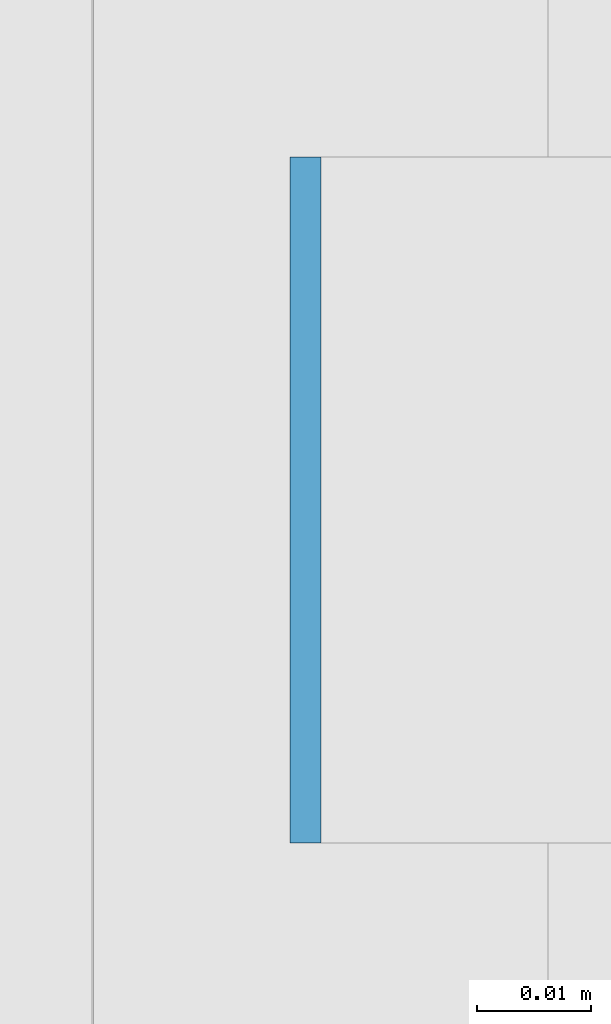
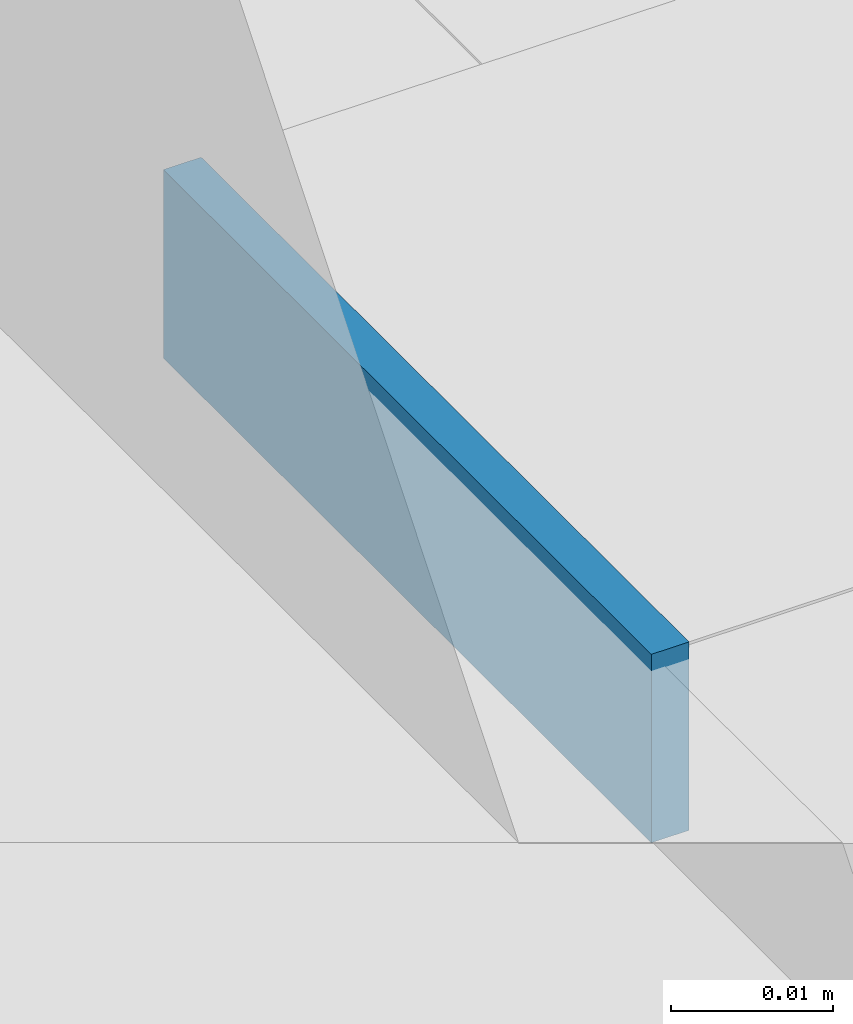
# One storey, part 513 of 646: 1 discrete accessory.
"""IFC4 building model written with IfcOpenShell, lengths in metres."""

from ifc_helpers import new_model, si_unit, direction, frame, origin, origin_2d, place, context, subcontext, project, spatial, rectangle, extrude, material, type_object, element, save


model = new_model("IFC4")

# Units and contexts
model_context = context("Model", 3, precision=1e-05, world=origin(), true_north=direction((0.0, 1.0)))
body_context = subcontext(model_context, "Body", "Model", "MODEL_VIEW")
ifc_project = project(units=[si_unit("LENGTHUNIT", "METRE"), si_unit("AREAUNIT", "SQUARE_METRE"), si_unit("VOLUMEUNIT", "CUBIC_METRE"), si_unit("PLANEANGLEUNIT", "RADIAN"), si_unit("MASSUNIT", "GRAM", prefix="KILO")], contexts=[model_context])

# Site, building, storey
site_placement = place(None, origin())
site = spatial("IfcSite", under=ifc_project, at=site_placement, CompositionType="ELEMENT")
building_placement = place(site_placement, origin())
building = spatial("IfcBuilding", under=site, at=building_placement, Name="Silverbay Arena", CompositionType="ELEMENT")
storey_placement = place(building_placement, frame((0.0, 0.0, 33.5)))
storey = spatial("IfcBuildingStorey", under=building, at=storey_placement, Name="L05", CompositionType="ELEMENT", Elevation=33.5)

# Discrete accessory
ifc_material = material(Name="Steel S355", Category="steel")
discrete_accessory_type = type_object("IfcDiscreteAccessoryType", Name="Steel bracket plate", PredefinedType="BRACKET", material=ifc_material)
discrete_accessory_placement = place(storey_placement, frame((207.128662109375, 74.571533203125, 12.98583984375), z_axis=(0.0, 0.0, 1.0), x_axis=(1.0, 0.0, 0.0)))
element("IfcDiscreteAccessory", 1, at=discrete_accessory_placement, inside=storey, type_object=discrete_accessory_type, Name="Curtain wall packing plate", PredefinedType="BRACKET", context=body_context, shape_type="SweptSolid", body=[
    extrude(rectangle(XDim=0.002685546875, YDim=0.06005859375, at=origin_2d()), origin(), (0.0, 0.0, 1.0), 0.01416015625),
])

save(model, "model.ifc")
